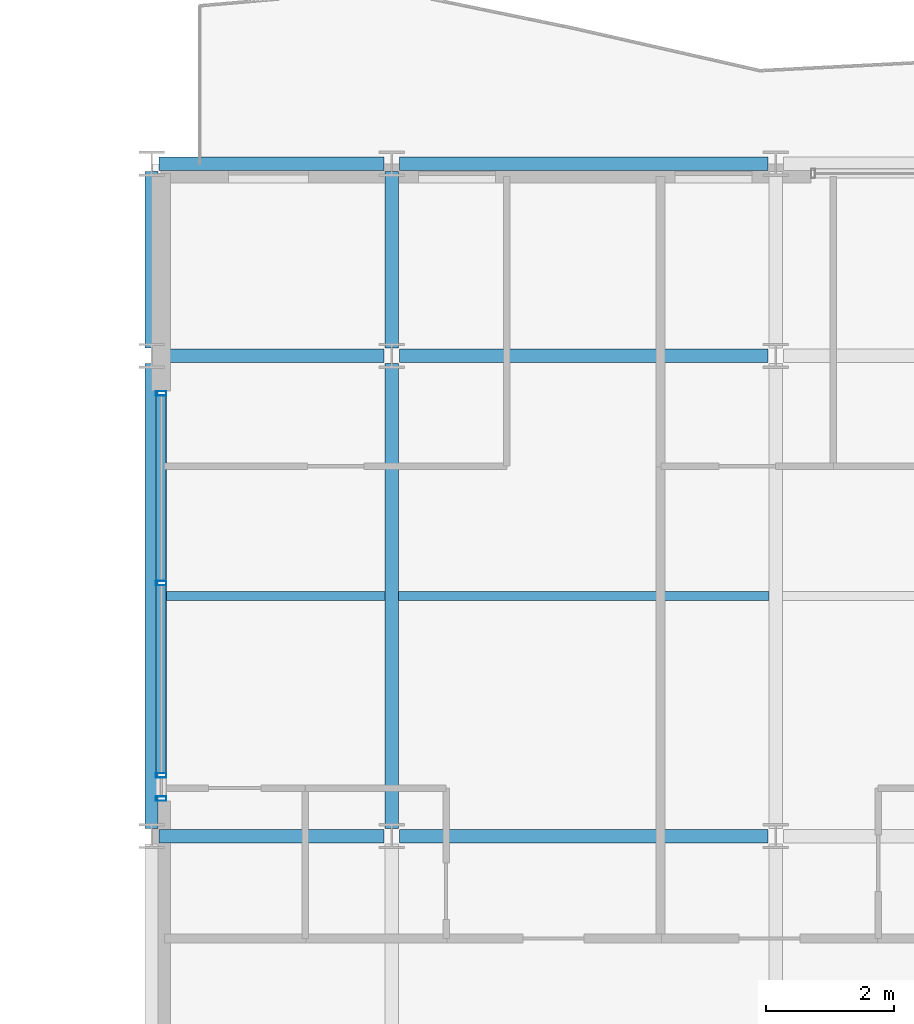
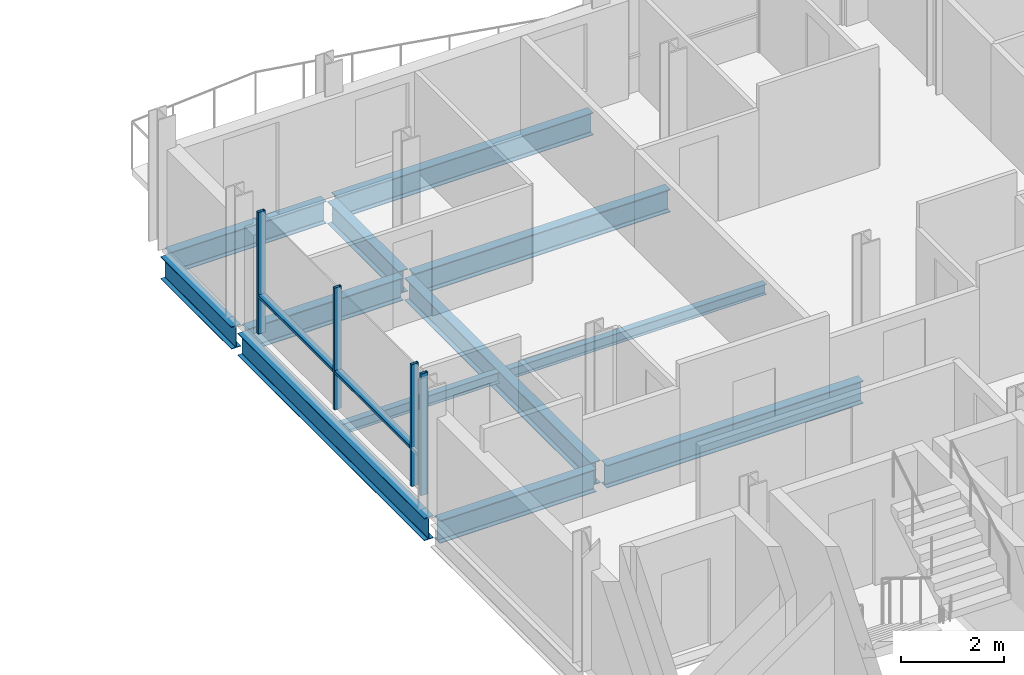
# One storey, part 11 of 29: 12 beams, 6 members, 1 element without a shape of its own.
"""IFC4 building model written with IfcOpenShell, lengths in metres."""

from ifc_helpers import new_model, si_unit, direction, frame, origin, origin_2d, place, context, subcontext, project, spatial, hollow_rectangle, i_section, extrude, material, layer, layer_set, material_profile, profile_set, type_object, element, aggregate, save


model = new_model("IFC4")

# Units and contexts
model_context = context("Model", 3, precision=1e-05, world=origin(), true_north=direction((0.0, 1.0)))
body_context = subcontext(model_context, "Body", "Model", "MODEL_VIEW")
ifc_project = project(units=[si_unit("LENGTHUNIT", "METRE"), si_unit("AREAUNIT", "SQUARE_METRE"), si_unit("VOLUMEUNIT", "CUBIC_METRE"), si_unit("PLANEANGLEUNIT", "RADIAN"), si_unit("MASSUNIT", "GRAM", prefix="KILO")], contexts=[model_context])

# Site, building, storey
site_placement = place(None, origin())
site = spatial("IfcSite", under=ifc_project, at=site_placement, CompositionType="ELEMENT")
building_placement = place(site_placement, origin())
building = spatial("IfcBuilding", under=site, at=building_placement, Name="Brevholm Reach", CompositionType="ELEMENT")
storey_placement = place(building_placement, frame((0.0, 0.0, 198.699951171875)))
storey = spatial("IfcBuildingStorey", under=building, at=storey_placement, Name="L60", CompositionType="ELEMENT", Elevation=198.699951171875)

# Beams
ifc_material_1 = material(Name="Structural Steel S355J2", Category="steel")
ifc_material_profile_1 = material_profile(ifc_material_1, i_section(OverallWidth=0.14599609375, OverallDepth=0.25146484375, WebThickness=0.006103515625, FlangeThickness=0.008544921875, FilletRadius=0.007568359375, at=origin_2d()), Name="UKB 254x146x31")
ifc_profile_set_1 = profile_set([ifc_material_profile_1], Name="Structural Steel S355J2")
beam_type_1 = type_object("IfcBeamType", Name="BM-B254", PredefinedType="BEAM", material=ifc_profile_set_1)
beam_1_placement = place(storey_placement, frame((38.354736328125, 19.75, -0.335693359375), z_axis=(1.0, 0.0, 0.0), x_axis=(0.0, 1.0, 0.0)))
element("IfcBeam", 1, at=beam_1_placement, inside=storey, type_object=beam_type_1, Name="L60 Composite Secondary Floor Beam", PredefinedType="BEAM", context=body_context, shape_type="SweptSolid", body=[
    extrude(i_section(OverallWidth=0.14599609375, OverallDepth=0.25146484375, WebThickness=0.006103515625, FlangeThickness=0.008544921875, FilletRadius=0.007568359375, at=origin_2d()), origin(), (0.0, 0.0, 1.0), 3.539794921875),
])
beam_2_placement = place(storey_placement, frame((42.10546875, 19.75, -0.335693359375), z_axis=(1.0, 0.0, 0.0), x_axis=(0.0, 1.0, 0.0)))
element("IfcBeam", 2, at=beam_2_placement, inside=storey, type_object=beam_type_1, Name="L60 Composite Secondary Floor Beam", PredefinedType="BEAM", context=body_context, shape_type="SweptSolid", body=[
    extrude(i_section(OverallWidth=0.14599609375, OverallDepth=0.25146484375, WebThickness=0.006103515625, FlangeThickness=0.008544921875, FilletRadius=0.007568359375, at=origin_2d()), origin(), (0.0, 0.0, 1.0), 5.7890625),
])
ifc_material_2 = material(Name="Structural Steel S355J2", Category="steel")
ifc_material_profile_2 = material_profile(ifc_material_2, i_section(OverallWidth=0.209228515625, OverallDepth=0.533203125, WebThickness=0.010009765625, FlangeThickness=0.015625, FilletRadius=0.0126953125, at=origin_2d()), Name="UKB 533x210x92")
ifc_profile_set_2 = profile_set([ifc_material_profile_2], Name="Structural Steel S355J2")
beam_type_2 = type_object("IfcBeamType", Name="BM-SP533", PredefinedType="SPANDREL", material=ifc_profile_set_2)
beam_3_placement = place(storey_placement, frame((38.3701171875, 26.5, -0.4765625), z_axis=(1.0, 0.0, 0.0), x_axis=(0.0, 1.0, 0.0)))
element("IfcBeam", 3, at=beam_3_placement, inside=storey, type_object=beam_type_2, Name="L60 SP-02 Framing Beam", PredefinedType="SPANDREL", context=body_context, shape_type="SweptSolid", body=[
    extrude(i_section(OverallWidth=0.209228515625, OverallDepth=0.533203125, WebThickness=0.010009765625, FlangeThickness=0.015625, FilletRadius=0.0126953125, at=origin_2d()), origin(), (0.0, 0.0, 1.0), 3.509765625),
])
beam_4_placement = place(storey_placement, frame((42.1201171875, 26.5, -0.4765625), z_axis=(1.0, 0.0, 0.0), x_axis=(0.0, 1.0, 0.0)))
element("IfcBeam", 4, at=beam_4_placement, inside=storey, type_object=beam_type_2, Name="L60 SP-02 Framing Beam", PredefinedType="SPANDREL", context=body_context, shape_type="SweptSolid", body=[
    extrude(i_section(OverallWidth=0.209228515625, OverallDepth=0.533203125, WebThickness=0.010009765625, FlangeThickness=0.015625, FilletRadius=0.0126953125, at=origin_2d()), origin(), (0.0, 0.0, 1.0), 5.759765625),
])
beam_5_placement = place(storey_placement, frame((38.25, 16.1201171875, -0.4765625), z_axis=(0.0, 1.0, 0.0), x_axis=(-1.0, 0.0, 0.0)))
element("IfcBeam", 5, at=beam_5_placement, inside=storey, type_object=beam_type_2, Name="L60 SP-02 Framing Beam", PredefinedType="SPANDREL", context=body_context, shape_type="SweptSolid", body=[
    extrude(i_section(OverallWidth=0.209228515625, OverallDepth=0.533203125, WebThickness=0.010009765625, FlangeThickness=0.015625, FilletRadius=0.0126953125, at=origin_2d()), origin(), (0.0, 0.0, 1.0), 7.259765625),
])
beam_6_placement = place(storey_placement, frame((38.25, 23.6201171875, -0.4765625), z_axis=(0.0, 1.0, 0.0), x_axis=(-1.0, 0.0, 0.0)))
element("IfcBeam", 6, at=beam_6_placement, inside=storey, type_object=beam_type_2, Name="L60 SP-02 Framing Beam", PredefinedType="SPANDREL", context=body_context, shape_type="SweptSolid", body=[
    extrude(i_section(OverallWidth=0.209228515625, OverallDepth=0.533203125, WebThickness=0.010009765625, FlangeThickness=0.015625, FilletRadius=0.0126953125, at=origin_2d()), origin(), (0.0, 0.0, 1.0), 2.759765625),
])
ifc_material_3 = material(Name="Structural Steel S355J2", Category="steel")
ifc_material_profile_3 = material_profile(ifc_material_3, i_section(OverallWidth=0.210693359375, OverallDepth=0.53955078125, WebThickness=0.01171875, FlangeThickness=0.018798828125, FilletRadius=0.0126953125, at=origin_2d()), Name="UKB 533x210x109")
ifc_profile_set_3 = profile_set([ifc_material_profile_3], Name="Structural Steel S355J2")
beam_type_3 = type_object("IfcBeamType", Name="BM-SP539", PredefinedType="SPANDREL", material=ifc_profile_set_3)
beam_7_placement = place(storey_placement, frame((38.3701171875, 16.0, -0.479736328125), z_axis=(1.0, 0.0, 0.0), x_axis=(0.0, 1.0, 0.0)))
element("IfcBeam", 7, at=beam_7_placement, inside=storey, type_object=beam_type_3, Name="L60 SP-01B Framing Beam", PredefinedType="SPANDREL", context=body_context, shape_type="SweptSolid", body=[
    extrude(i_section(OverallWidth=0.210693359375, OverallDepth=0.53955078125, WebThickness=0.01171875, FlangeThickness=0.018798828125, FilletRadius=0.0126953125, at=origin_2d()), origin(), (0.0, 0.0, 1.0), 3.509765625),
])
beam_8_placement = place(storey_placement, frame((42.1201171875, 16.0, -0.479736328125), z_axis=(1.0, 0.0, 0.0), x_axis=(0.0, 1.0, 0.0)))
element("IfcBeam", 8, at=beam_8_placement, inside=storey, type_object=beam_type_3, Name="L60 SP-01B Framing Beam", PredefinedType="SPANDREL", context=body_context, shape_type="SweptSolid", body=[
    extrude(i_section(OverallWidth=0.210693359375, OverallDepth=0.53955078125, WebThickness=0.01171875, FlangeThickness=0.018798828125, FilletRadius=0.0126953125, at=origin_2d()), origin(), (0.0, 0.0, 1.0), 5.759765625),
])
beam_9_placement = place(storey_placement, frame((38.3701171875, 23.5, -0.479736328125), z_axis=(1.0, 0.0, 0.0), x_axis=(0.0, 1.0, 0.0)))
element("IfcBeam", 9, at=beam_9_placement, inside=storey, type_object=beam_type_3, Name="L60 SP-01B Framing Beam", PredefinedType="SPANDREL", context=body_context, shape_type="SweptSolid", body=[
    extrude(i_section(OverallWidth=0.210693359375, OverallDepth=0.53955078125, WebThickness=0.01171875, FlangeThickness=0.018798828125, FilletRadius=0.0126953125, at=origin_2d()), origin(), (0.0, 0.0, 1.0), 3.509765625),
])
beam_10_placement = place(storey_placement, frame((42.1201171875, 23.5, -0.479736328125), z_axis=(1.0, 0.0, 0.0), x_axis=(0.0, 1.0, 0.0)))
element("IfcBeam", 10, at=beam_10_placement, inside=storey, type_object=beam_type_3, Name="L60 SP-01B Framing Beam", PredefinedType="SPANDREL", context=body_context, shape_type="SweptSolid", body=[
    extrude(i_section(OverallWidth=0.210693359375, OverallDepth=0.53955078125, WebThickness=0.01171875, FlangeThickness=0.018798828125, FilletRadius=0.0126953125, at=origin_2d()), origin(), (0.0, 0.0, 1.0), 5.759765625),
])
beam_11_placement = place(storey_placement, frame((42.0, 16.1201171875, -0.479736328125), z_axis=(0.0, 1.0, 0.0), x_axis=(-1.0, 0.0, 0.0)))
element("IfcBeam", 11, at=beam_11_placement, inside=storey, type_object=beam_type_3, Name="L60 SP-01B Framing Beam", PredefinedType="SPANDREL", context=body_context, shape_type="SweptSolid", body=[
    extrude(i_section(OverallWidth=0.210693359375, OverallDepth=0.53955078125, WebThickness=0.01171875, FlangeThickness=0.018798828125, FilletRadius=0.0126953125, at=origin_2d()), origin(), (0.0, 0.0, 1.0), 7.259765625),
])
beam_12_placement = place(storey_placement, frame((42.0, 23.6201171875, -0.479736328125), z_axis=(0.0, 1.0, 0.0), x_axis=(-1.0, 0.0, 0.0)))
element("IfcBeam", 12, at=beam_12_placement, inside=storey, type_object=beam_type_3, Name="L60 SP-01B Framing Beam", PredefinedType="SPANDREL", context=body_context, shape_type="SweptSolid", body=[
    extrude(i_section(OverallWidth=0.210693359375, OverallDepth=0.53955078125, WebThickness=0.01171875, FlangeThickness=0.018798828125, FilletRadius=0.0126953125, at=origin_2d()), origin(), (0.0, 0.0, 1.0), 2.759765625),
])

# Curtain wall, members
ifc_material_4 = material(Name="Dark Anodised Aluminium 6063-T6 and Solar-Control Glass", Category="aluminium")
ifc_layer = layer(ifc_material_4, 0.1650390625)
ifc_layer_set = layer_set([ifc_layer], Name="Dark Anodised Aluminium 6063-T6 and Solar-Control Glass")
curtain_wall_type = type_object("IfcCurtainWallType", Name="CW-04", PredefinedType="NOTDEFINED", material=ifc_layer_set)
curtain_wall_placement = place(storey_placement, origin())
curtain_wall = element("IfcCurtainWall", 13, at=curtain_wall_placement, inside=storey, type_object=curtain_wall_type, Name="L60 Curtain Wall CW-04", PredefinedType="NOTDEFINED")
ifc_material_5 = material(Name="Dark Anodised Aluminium 6063-T6", Category="aluminium")
ifc_material_profile_4 = material_profile(ifc_material_5, hollow_rectangle(XDim=0.070068359375, YDim=0.1650390625, WallThickness=0.0048828125, InnerFilletRadius=0.0048828125, OuterFilletRadius=0.010009765625, at=origin_2d()), Name="RHS 165x70x5")
ifc_profile_set_4 = profile_set([ifc_material_profile_4], Name="Dark Anodised Aluminium 6063-T6")
member_type_1 = type_object("IfcMemberType", Name="CWM-165", PredefinedType="MULLION", material=ifc_profile_set_4)
member_1_placement = place(storey_placement, frame((38.39990234375, 22.9150390625, 0.0), z_axis=(0.0, 0.0, 1.0), x_axis=(0.0, -1.0, 0.0)))
member_1 = element("IfcMember", 14, at=member_1_placement, type_object=member_type_1, Name="CM-165 Mullion 1", PredefinedType="MULLION", context=body_context, shape_type="SweptSolid", body=[
    extrude(hollow_rectangle(XDim=0.070068359375, YDim=0.1650390625, WallThickness=0.0048828125, InnerFilletRadius=0.0048828125, OuterFilletRadius=0.010009765625, at=origin_2d()), origin(), (0.0, 0.0, 1.0), 2.89013671875),
])
member_2_placement = place(storey_placement, frame((38.39990234375, 19.949951171875, 0.0), z_axis=(0.0, 0.0, 1.0), x_axis=(0.0, -1.0, 0.0)))
member_2 = element("IfcMember", 15, at=member_2_placement, type_object=member_type_1, Name="CM-165 Mullion 2", PredefinedType="MULLION", context=body_context, shape_type="SweptSolid", body=[
    extrude(hollow_rectangle(XDim=0.070068359375, YDim=0.1650390625, WallThickness=0.0048828125, InnerFilletRadius=0.0048828125, OuterFilletRadius=0.010009765625, at=origin_2d()), origin(), (0.0, 0.0, 1.0), 2.89013671875),
])
member_3_placement = place(storey_placement, frame((38.39990234375, 16.949951171875, 0.0), z_axis=(0.0, 0.0, 1.0), x_axis=(0.0, -1.0, 0.0)))
member_3 = element("IfcMember", 16, at=member_3_placement, type_object=member_type_1, Name="CM-165 Mullion 3", PredefinedType="MULLION", context=body_context, shape_type="SweptSolid", body=[
    extrude(hollow_rectangle(XDim=0.070068359375, YDim=0.1650390625, WallThickness=0.0048828125, InnerFilletRadius=0.0048828125, OuterFilletRadius=0.010009765625, at=origin_2d()), origin(), (0.0, 0.0, 1.0), 2.89013671875),
])
member_4_placement = place(storey_placement, frame((38.39990234375, 16.5849609375, 0.0), z_axis=(0.0, 0.0, 1.0), x_axis=(0.0, -1.0, 0.0)))
member_4 = element("IfcMember", 17, at=member_4_placement, type_object=member_type_1, Name="CM-165 Mullion 4", PredefinedType="MULLION", context=body_context, shape_type="SweptSolid", body=[
    extrude(hollow_rectangle(XDim=0.070068359375, YDim=0.1650390625, WallThickness=0.0048828125, InnerFilletRadius=0.0048828125, OuterFilletRadius=0.010009765625, at=origin_2d()), origin(), (0.0, 0.0, 1.0), 2.89013671875),
])
ifc_material_6 = material(Name="Dark Anodised Aluminium 6063-T6", Category="aluminium")
ifc_material_profile_5 = material_profile(ifc_material_6, hollow_rectangle(XDim=0.070068359375, YDim=0.1650390625, WallThickness=0.0048828125, InnerFilletRadius=0.0048828125, OuterFilletRadius=0.010009765625, at=origin_2d()), Name="RHS 165x70x5")
ifc_profile_set_5 = profile_set([ifc_material_profile_5], Name="Dark Anodised Aluminium 6063-T6")
member_type_2 = type_object("IfcMemberType", Name="CWT-165", PredefinedType="NOTDEFINED", material=ifc_profile_set_5)
member_5_placement = place(storey_placement, frame((38.39990234375, 22.8798828125, 0.900146484375), z_axis=(0.0, -1.0, 0.0), x_axis=(0.0, 0.0, 1.0)))
member_5 = element("IfcMember", 18, at=member_5_placement, type_object=member_type_2, Name="CT-165 Transom 1.1", ObjectType="TRANSOM", PredefinedType="USERDEFINED", context=body_context, shape_type="SweptSolid", body=[
    extrude(hollow_rectangle(XDim=0.070068359375, YDim=0.1650390625, WallThickness=0.0048828125, InnerFilletRadius=0.0048828125, OuterFilletRadius=0.010009765625, at=origin_2d()), origin(), (0.0, 0.0, 1.0), 2.894775390625),
])
member_6_placement = place(storey_placement, frame((38.39990234375, 19.9150390625, 0.900146484375), z_axis=(0.0, -1.0, 0.0), x_axis=(0.0, 0.0, 1.0)))
member_6 = element("IfcMember", 19, at=member_6_placement, type_object=member_type_2, Name="CT-165 Transom 2.1", ObjectType="TRANSOM", PredefinedType="USERDEFINED", context=body_context, shape_type="SweptSolid", body=[
    extrude(hollow_rectangle(XDim=0.070068359375, YDim=0.1650390625, WallThickness=0.0048828125, InnerFilletRadius=0.0048828125, OuterFilletRadius=0.010009765625, at=origin_2d()), origin(), (0.0, 0.0, 1.0), 2.929931640625),
])
aggregate(curtain_wall, [member_1, member_2, member_3, member_4, member_5, member_6])

save(model, "model.ifc")
